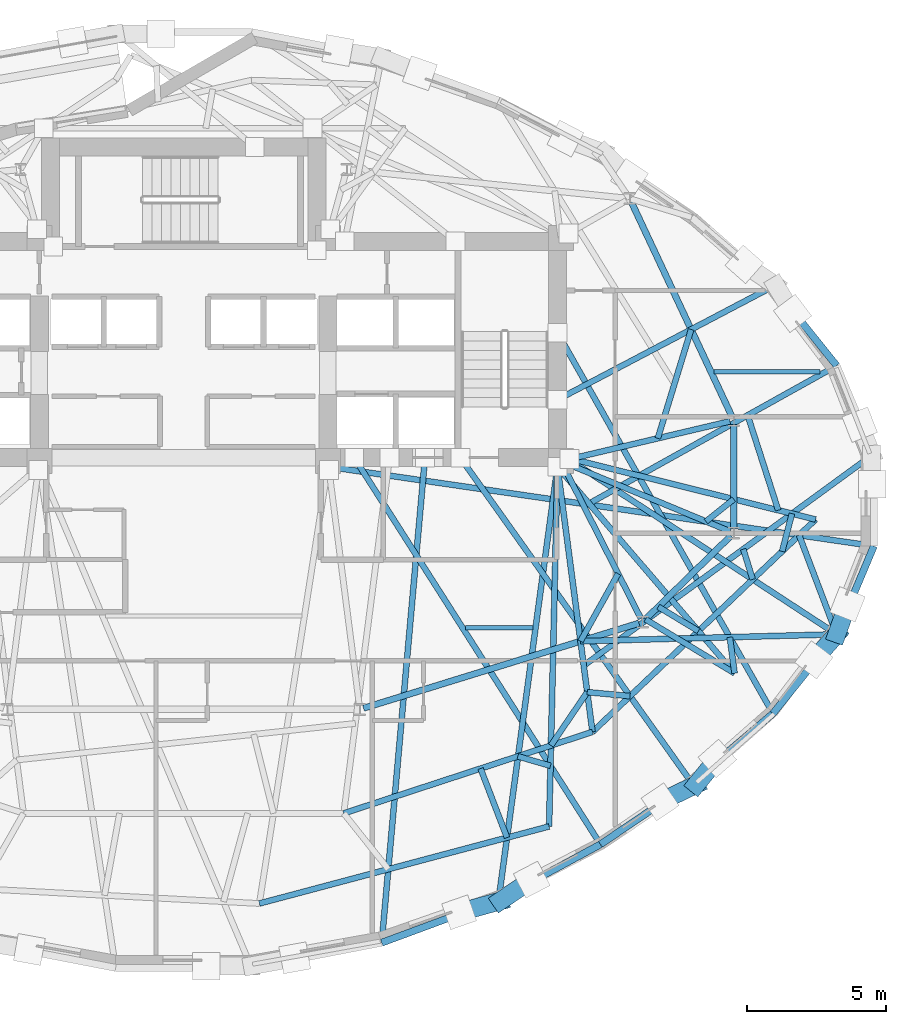
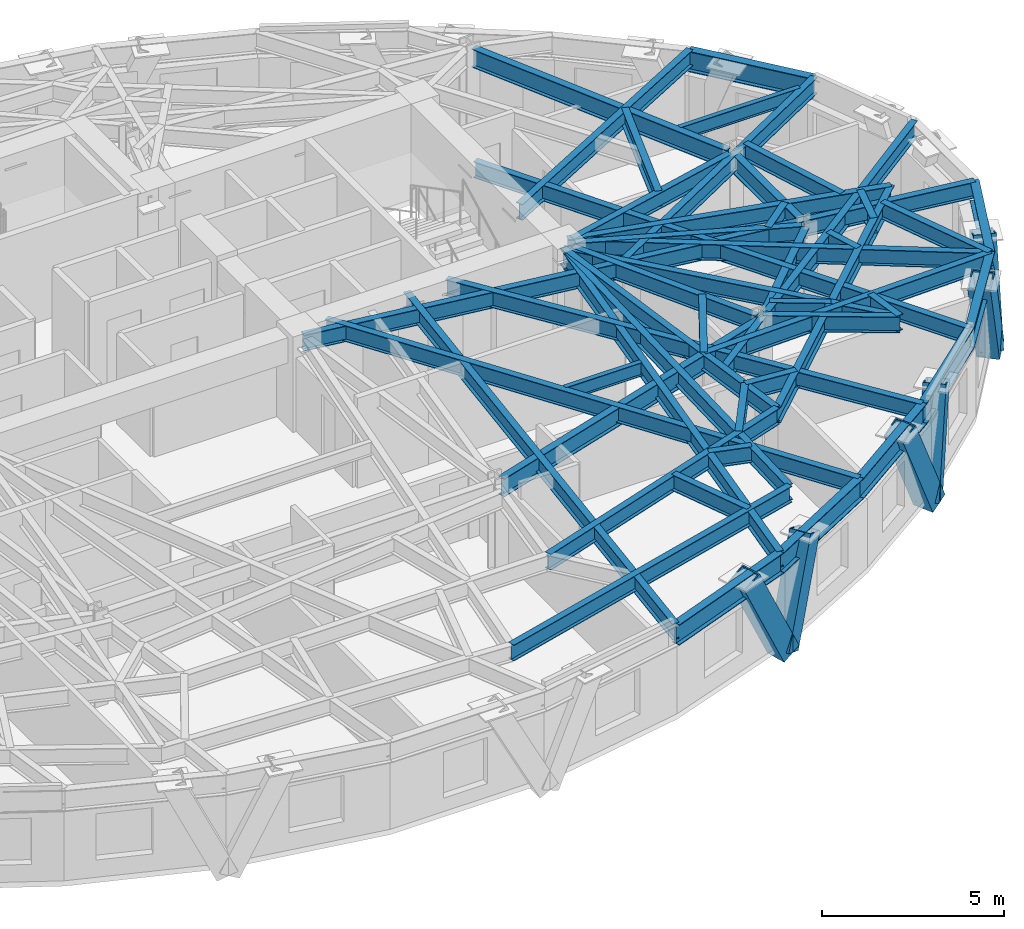
# One storey, part 4 of 14: 48 beams, 6 members.
"""IFC4 building model written with IfcOpenShell, lengths in metres."""

from ifc_helpers import new_model, si_unit, direction, frame, origin, origin_2d, place, context, subcontext, project, spatial, hollow_rectangle, i_section, extrude, material, material_profile, profile_set, type_object, element, save


model = new_model("IFC4")

# Units and contexts
model_context = context("Model", 3, precision=1e-05, world=origin(), true_north=direction((0.0, 1.0)))
body_context = subcontext(model_context, "Body", "Model", "MODEL_VIEW")
ifc_project = project(units=[si_unit("LENGTHUNIT", "METRE"), si_unit("AREAUNIT", "SQUARE_METRE"), si_unit("VOLUMEUNIT", "CUBIC_METRE"), si_unit("PLANEANGLEUNIT", "RADIAN"), si_unit("MASSUNIT", "GRAM", prefix="KILO")], contexts=[model_context])

# Site, building, storey
site_placement = place(None, origin())
site = spatial("IfcSite", under=ifc_project, at=site_placement, CompositionType="ELEMENT")
building_placement = place(site_placement, origin())
building = spatial("IfcBuilding", under=site, at=building_placement, Name="Keldmark Tower", CompositionType="ELEMENT")
storey_placement = place(building_placement, frame((0.0, 0.0, 175.800048828125)))
storey = spatial("IfcBuildingStorey", under=building, at=storey_placement, Name="L48", CompositionType="ELEMENT", Elevation=175.800048828125)

# Beams
ifc_material_1 = material(Name="Steel ASTM A992 Grade 50", Category="steel")
ifc_material_profile_1 = material_profile(ifc_material_1, i_section(OverallWidth=0.153076171875, OverallDepth=0.455078125, WebThickness=0.008056640625, FlangeThickness=0.01318359375, at=origin_2d()), Name="W18X40")
ifc_profile_set_1 = profile_set([ifc_material_profile_1], Name="Steel ASTM A992 Grade 50")
beam_type_1 = type_object("IfcBeamType", Name="Composite Floor Joist W18X40", PredefinedType="JOIST", material=ifc_profile_set_1)
beam_1_placement = place(storey_placement, frame((10.165283203125, -4.60009765625, 2.79248046875), z_axis=(1.0, 0.0, 0.0), x_axis=(0.0, 1.0, 0.0)))
element("IfcBeam", 1, at=beam_1_placement, inside=storey, type_object=beam_type_1, Name="L48 Composite Floor Joist J03", PredefinedType="JOIST", context=body_context, shape_type="SweptSolid", body=[
    extrude(i_section(OverallWidth=0.153076171875, OverallDepth=0.455078125, WebThickness=0.008056640625, FlangeThickness=0.01318359375, at=origin_2d()), origin(), (0.0, 0.0, 1.0), 2.424072265625),
])
beam_2_placement = place(storey_placement, frame((19.12451171875, 4.6201171875, 2.79248046875), z_axis=(1.0, 0.0, 0.0), x_axis=(0.0, 1.0, 0.0)))
element("IfcBeam", 2, at=beam_2_placement, inside=storey, type_object=beam_type_1, Name="L48 Composite Floor Joist J05", PredefinedType="JOIST", context=body_context, shape_type="SweptSolid", body=[
    extrude(i_section(OverallWidth=0.153076171875, OverallDepth=0.455078125, WebThickness=0.008056640625, FlangeThickness=0.01318359375, at=origin_2d()), origin(), (0.0, 0.0, 1.0), 3.815185546875),
])

# Members
ifc_material_2 = material(Name="Steel ASTM A572 Grade 50", Category="steel")
ifc_material_profile_2 = material_profile(ifc_material_2, hollow_rectangle(XDim=0.64990234375, YDim=0.64990234375, WallThickness=0.0400390625, at=origin_2d()), Name="BOX650X650X40")
ifc_profile_set_2 = profile_set([ifc_material_profile_2], Name="Steel ASTM A572 Grade 50")
member_type = type_object("IfcMemberType", Name="Diagrid Zone 3 Brace BOX650X650X40", PredefinedType="BRACE", material=ifc_profile_set_2)
member_1_placement = place(storey_placement, frame((11.42138671875, -14.449951171875, -0.260009765625), z_axis=(-0.42345325243, -0.11695111135, 0.898337230978), x_axis=(0.266217562784, -0.963912967682, 0.0)))
element("IfcMember", 3, at=member_1_placement, inside=storey, type_object=member_type, Name="L48 Perimeter Diagrid Brace 13B", PredefinedType="BRACE", context=body_context, shape_type="SweptSolid", body=[
    extrude(hollow_rectangle(XDim=0.64990234375, YDim=0.64990234375, WallThickness=0.0400390625, at=origin_2d()), origin(), (0.0, 0.0, 1.0), 3.517578125),
])
member_2_placement = place(storey_placement, frame((11.410400390625, -14.454345703125, -0.260009765625), z_axis=(0.33049592373, 0.223518679393, 0.916957929439), x_axis=(-0.560219791225, 0.828344001922, 0.0)))
element("IfcMember", 4, at=member_2_placement, inside=storey, type_object=member_type, Name="L48 Perimeter Diagrid Brace 14A", PredefinedType="BRACE", context=body_context, shape_type="SweptSolid", body=[
    extrude(hollow_rectangle(XDim=0.64990234375, YDim=0.64990234375, WallThickness=0.0400390625, at=origin_2d()), origin(), (0.0, 0.0, 1.0), 3.446044921875),
])
member_3_placement = place(storey_placement, frame((18.478271484375, -10.2548828125, -0.260009765625), z_axis=(-0.374907945302, -0.180217181353, 0.909376599707), x_axis=(0.433241667127, -0.90127779173, 0.0)))
element("IfcMember", 5, at=member_3_placement, inside=storey, type_object=member_type, Name="L48 Perimeter Diagrid Brace 14B", PredefinedType="BRACE", context=body_context, shape_type="SweptSolid", body=[
    extrude(hollow_rectangle(XDim=0.64990234375, YDim=0.64990234375, WallThickness=0.0400390625, at=origin_2d()), origin(), (0.0, 0.0, 1.0), 3.474853515625),
])
member_4_placement = place(storey_placement, frame((18.469970703125, -10.26318359375, -0.260009765625), z_axis=(0.227142280922, 0.279116125588, 0.933006201831), x_axis=(-0.775623580576, 0.631195739255, 0.0)))
element("IfcMember", 6, at=member_4_placement, inside=storey, type_object=member_type, Name="L48 Perimeter Diagrid Brace 15A", PredefinedType="BRACE", context=body_context, shape_type="SweptSolid", body=[
    extrude(hollow_rectangle(XDim=0.64990234375, YDim=0.64990234375, WallThickness=0.0400390625, at=origin_2d()), origin(), (0.0, 0.0, 1.0), 3.38671875),
])
member_5_placement = place(storey_placement, frame((23.548828125, -4.8251953125, -0.260009765625), z_axis=(-0.243983108879, -0.276231685826, 0.929606528768), x_axis=(0.749502219327, -0.662001830227, 0.0)))
element("IfcMember", 7, at=member_5_placement, inside=storey, type_object=member_type, Name="L48 Perimeter Diagrid Brace 15B", PredefinedType="BRACE", context=body_context, shape_type="SweptSolid", body=[
    extrude(hollow_rectangle(XDim=0.64990234375, YDim=0.64990234375, WallThickness=0.0400390625, at=origin_2d()), origin(), (0.0, 0.0, 1.0), 3.399169921875),
])
member_6_placement = place(storey_placement, frame((23.54443359375, -4.836181640625, -0.260009765625), z_axis=(0.113966039692, 0.319439250284, 0.94072860442), x_axis=(-0.941853373984, 0.336024138887, 0.0)))
element("IfcMember", 8, at=member_6_placement, inside=storey, type_object=member_type, Name="L48 Perimeter Diagrid Brace 16A", PredefinedType="BRACE", context=body_context, shape_type="SweptSolid", body=[
    extrude(hollow_rectangle(XDim=0.64990234375, YDim=0.64990234375, WallThickness=0.0400390625, at=origin_2d()), origin(), (0.0, 0.0, 1.0), 3.35888671875),
])

# Beams
ifc_material_3 = material(Name="Steel ASTM A992 Grade 50", Category="steel")
ifc_material_profile_3 = material_profile(ifc_material_3, i_section(OverallWidth=0.22900390625, OverallDepth=0.612060546875, WebThickness=0.011962890625, FlangeThickness=0.01953125, at=origin_2d()), Name="W24X84")
ifc_profile_set_3 = profile_set([ifc_material_profile_3], Name="Steel ASTM A992 Grade 50")
beam_type_2 = type_object("IfcBeamType", Name="Primary Floor Girder W24X84", PredefinedType="BEAM", material=ifc_profile_set_3)
beam_3_placement = place(storey_placement, frame((19.76904296875, 2.99609375, 2.7138671875), z_axis=(-0.424526823774, 0.905415360979, 0.0), x_axis=(-0.905415360979, -0.424526823774, 0.0)))
element("IfcBeam", 9, at=beam_3_placement, inside=storey, type_object=beam_type_2, Name="L48 Floor Ring Girder FG-R01", PredefinedType="BEAM", context=body_context, shape_type="SweptSolid", body=[
    extrude(i_section(OverallWidth=0.22900390625, OverallDepth=0.612060546875, WebThickness=0.011962890625, FlangeThickness=0.01953125, at=origin_2d()), origin(), (0.0, 0.0, 1.0), 8.54638671875),
])
beam_4_placement = place(storey_placement, frame((6.485107421875, -7.5048828125, 2.7138671875), z_axis=(0.955494563145, 0.295008711398, 0.0), x_axis=(-0.295008711398, 0.955494563145, 0.0)))
element("IfcBeam", 10, at=beam_4_placement, inside=storey, type_object=beam_type_2, Name="L48 Floor Ring Girder FG-R10", PredefinedType="BEAM", context=body_context, shape_type="SweptSolid", body=[
    extrude(i_section(OverallWidth=0.22900390625, OverallDepth=0.612060546875, WebThickness=0.011962890625, FlangeThickness=0.01953125, at=origin_2d()), origin(), (0.0, 0.0, 1.0), 10.39013671875),
])
beam_5_placement = place(storey_placement, frame((16.646728515625, -4.300537109375, 2.7138671875), z_axis=(0.714964509815, 0.699160746684, 0.0), x_axis=(-0.699160746684, 0.714964509815, 0.0)))
element("IfcBeam", 11, at=beam_5_placement, inside=storey, type_object=beam_type_2, Name="L48 Floor Ring Girder FG-R11", PredefinedType="BEAM", context=body_context, shape_type="SweptSolid", body=[
    extrude(i_section(OverallWidth=0.22900390625, OverallDepth=0.612060546875, WebThickness=0.011962890625, FlangeThickness=0.01953125, at=origin_2d()), origin(), (0.0, 0.0, 1.0), 4.31005859375),
])
beam_6_placement = place(storey_placement, frame((19.828369140625, -1.04931640625, 2.7138671875), z_axis=(0.0, 1.0, 0.0), x_axis=(-1.0, 0.0, 0.0)))
element("IfcBeam", 12, at=beam_6_placement, inside=storey, type_object=beam_type_2, Name="L48 Floor Ring Girder FG-R12", PredefinedType="BEAM", context=body_context, shape_type="SweptSolid", body=[
    extrude(i_section(OverallWidth=0.22900390625, OverallDepth=0.612060546875, WebThickness=0.011962890625, FlangeThickness=0.01953125, at=origin_2d()), origin(), (0.0, 0.0, 1.0), 3.778564453125),
])
ifc_material_4 = material(Name="Steel ASTM A992 Grade 50", Category="steel")
ifc_material_profile_4 = material_profile(ifc_material_4, i_section(OverallWidth=0.2099609375, OverallDepth=0.537109375, WebThickness=0.010986328125, FlangeThickness=0.017333984375, at=origin_2d()), Name="W21X68")
ifc_profile_set_4 = profile_set([ifc_material_profile_4], Name="Steel ASTM A992 Grade 50")
beam_type_3 = type_object("IfcBeamType", Name="Radial Tie Girder W21X68", PredefinedType="BEAM", material=ifc_profile_set_4)
beam_7_placement = place(storey_placement, frame((19.692138671875, 2.837158203125, 2.75146484375), z_axis=(-0.973280062348, -0.229621253887, 0.0), x_axis=(0.229621253887, -0.973280062348, 0.0)))
element("IfcBeam", 13, at=beam_7_placement, inside=storey, type_object=beam_type_3, Name="L48 Floor Radial Girder FG-C01", PredefinedType="BEAM", context=body_context, shape_type="SweptSolid", body=[
    extrude(i_section(OverallWidth=0.2099609375, OverallDepth=0.537109375, WebThickness=0.010986328125, FlangeThickness=0.017333984375, at=origin_2d()), origin(), (0.0, 0.0, 1.0), 5.939208984375),
])
beam_8_placement = place(storey_placement, frame((16.4833984375, -4.273681640625, 2.75146484375), z_axis=(-0.453036691775, 0.891491870914, 0.0), x_axis=(-0.891491870914, -0.453036691775, 0.0)))
element("IfcBeam", 14, at=beam_8_placement, inside=storey, type_object=beam_type_3, Name="L48 Floor Radial Girder FG-C11", PredefinedType="BEAM", context=body_context, shape_type="SweptSolid", body=[
    extrude(i_section(OverallWidth=0.2099609375, OverallDepth=0.537109375, WebThickness=0.010986328125, FlangeThickness=0.017333984375, at=origin_2d()), origin(), (0.0, 0.0, 1.0), 6.044189453125),
])
beam_9_placement = place(storey_placement, frame((19.69921875, -1.135498046875, 2.75146484375), z_axis=(-0.923393794893, 0.383854008124, 0.0), x_axis=(-0.383854008124, -0.923393794893, 0.0)))
element("IfcBeam", 15, at=beam_9_placement, inside=storey, type_object=beam_type_3, Name="L48 Floor Radial Girder FG-C12", PredefinedType="BEAM", context=body_context, shape_type="SweptSolid", body=[
    extrude(i_section(OverallWidth=0.2099609375, OverallDepth=0.537109375, WebThickness=0.010986328125, FlangeThickness=0.017333984375, at=origin_2d()), origin(), (0.0, 0.0, 1.0), 6.28515625),
])
beam_10_placement = place(storey_placement, frame((15.661865234375, -2.6572265625, 2.75146484375), z_axis=(-0.486899907892, -0.87345777213, 0.0), x_axis=(0.87345777213, -0.486899907892, 0.0)))
element("IfcBeam", 16, at=beam_10_placement, inside=storey, type_object=beam_type_3, Name="L48 Framing Pin Header PH-007", PredefinedType="BEAM", context=body_context, shape_type="SweptSolid", body=[
    extrude(i_section(OverallWidth=0.2099609375, OverallDepth=0.537109375, WebThickness=0.010986328125, FlangeThickness=0.017333984375, at=origin_2d()), origin(), (0.0, 0.0, 1.0), 2.785888671875),
])
beam_11_placement = place(storey_placement, frame((13.47509765625, 1.199951171875, 2.75146484375), z_axis=(0.130863236216, -0.991400430405, 0.0), x_axis=(0.991400430405, 0.130863236216, 0.0)))
element("IfcBeam", 17, at=beam_11_placement, inside=storey, type_object=beam_type_3, Name="L48 Sub-Ring Step Girder STP1-M11", PredefinedType="BEAM", context=body_context, shape_type="SweptSolid", body=[
    extrude(i_section(OverallWidth=0.2099609375, OverallDepth=0.537109375, WebThickness=0.010986328125, FlangeThickness=0.017333984375, at=origin_2d()), origin(), (0.0, 0.0, 1.0), 9.6416015625),
])
beam_12_placement = place(storey_placement, frame((18.82861328125, -0.773681640625, 2.75146484375), z_axis=(0.779845899285, 0.625971543577, 0.0), x_axis=(-0.625971543577, 0.779845899285, 0.0)))
element("IfcBeam", 18, at=beam_12_placement, inside=storey, type_object=beam_type_3, Name="L48 Framing Pin Header PH-008", PredefinedType="BEAM", context=body_context, shape_type="SweptSolid", body=[
    extrude(i_section(OverallWidth=0.2099609375, OverallDepth=0.537109375, WebThickness=0.010986328125, FlangeThickness=0.017333984375, at=origin_2d()), origin(), (0.0, 0.0, 1.0), 1.281982421875),
])
beam_13_placement = place(storey_placement, frame((13.800048828125, 1.52490234375, 2.75146484375), z_axis=(0.970554057255, -0.240883419823, 0.0), x_axis=(0.240883419823, 0.970554057255, 0.0)))
element("IfcBeam", 19, at=beam_13_placement, inside=storey, type_object=beam_type_3, Name="L48 Sub-Ring Step Girder STP1-M12", PredefinedType="BEAM", context=body_context, shape_type="SweptSolid", body=[
    extrude(i_section(OverallWidth=0.2099609375, OverallDepth=0.537109375, WebThickness=0.010986328125, FlangeThickness=0.017333984375, at=origin_2d()), origin(), (0.0, 0.0, 1.0), 9.25048828125),
])
beam_14_placement = place(storey_placement, frame((5.771484375, -11.2939453125, 2.75146484375), z_axis=(0.950359704964, 0.311153388508, 0.0), x_axis=(-0.311153388508, 0.950359704964, 0.0)))
element("IfcBeam", 20, at=beam_14_placement, inside=storey, type_object=beam_type_3, Name="L48 Perimeter Collector Ring Beam CRG1-M10", PredefinedType="BEAM", context=body_context, shape_type="SweptSolid", body=[
    extrude(i_section(OverallWidth=0.2099609375, OverallDepth=0.537109375, WebThickness=0.010986328125, FlangeThickness=0.017333984375, at=origin_2d()), origin(), (0.0, 0.0, 1.0), 9.43359375),
])
beam_15_placement = place(storey_placement, frame((14.73681640625, -8.358642578125, 2.75146484375), z_axis=(0.724275973377, 0.689510198901, 0.0), x_axis=(-0.689510198901, 0.724275973377, 0.0)))
element("IfcBeam", 21, at=beam_15_placement, inside=storey, type_object=beam_type_3, Name="L48 Perimeter Collector Ring Beam CRG1-M11", PredefinedType="BEAM", context=body_context, shape_type="SweptSolid", body=[
    extrude(i_section(OverallWidth=0.2099609375, OverallDepth=0.537109375, WebThickness=0.010986328125, FlangeThickness=0.017333984375, at=origin_2d()), origin(), (0.0, 0.0, 1.0), 11.1025390625),
])
beam_16_placement = place(storey_placement, frame((14.54736328125, -6.9248046875, 2.75146484375), z_axis=(-0.562065968421, -0.827092405444, 0.0), x_axis=(0.827092405444, -0.562065968421, 0.0)))
element("IfcBeam", 22, at=beam_16_placement, inside=storey, type_object=beam_type_3, Name="L48 Framing Pin Header PH-013", PredefinedType="BEAM", context=body_context, shape_type="SweptSolid", body=[
    extrude(i_section(OverallWidth=0.2099609375, OverallDepth=0.537109375, WebThickness=0.010986328125, FlangeThickness=0.017333984375, at=origin_2d()), origin(), (0.0, 0.0, 1.0), 2.325927734375),
])
beam_17_placement = place(storey_placement, frame((13.47509765625, 1.199951171875, 2.75146484375), z_axis=(-0.023379914558, -0.999726652438, 0.0), x_axis=(0.999726652438, -0.023379914558, 0.0)))
element("IfcBeam", 23, at=beam_17_placement, inside=storey, type_object=beam_type_3, Name="L48 Sub-Ring Step Girder STP2-M11", PredefinedType="BEAM", context=body_context, shape_type="SweptSolid", body=[
    extrude(i_section(OverallWidth=0.2099609375, OverallDepth=0.537109375, WebThickness=0.010986328125, FlangeThickness=0.017333984375, at=origin_2d()), origin(), (0.0, 0.0, 1.0), 12.969482421875),
])
beam_18_placement = place(storey_placement, frame((2.729736328125, -14.5439453125, 2.75146484375), z_axis=(0.966384405878, 0.257101497615, 0.0), x_axis=(-0.257101497615, 0.966384405878, 0.0)))
element("IfcBeam", 24, at=beam_18_placement, inside=storey, type_object=beam_type_3, Name="L48 Perimeter Collector Ring Beam CRG2-M10", PredefinedType="BEAM", context=body_context, shape_type="SweptSolid", body=[
    extrude(i_section(OverallWidth=0.2099609375, OverallDepth=0.537109375, WebThickness=0.010986328125, FlangeThickness=0.017333984375, at=origin_2d()), origin(), (0.0, 0.0, 1.0), 10.805419921875),
])
beam_19_placement = place(storey_placement, frame((21.57177734375, -1.8515625, 2.75146484375), z_axis=(0.252825066746, 0.967512008, 0.0), x_axis=(-0.967512008, 0.252825066746, 0.0)))
element("IfcBeam", 25, at=beam_19_placement, inside=storey, type_object=beam_type_3, Name="L48 Framing Pin Header PH-014", PredefinedType="BEAM", context=body_context, shape_type="SweptSolid", body=[
    extrude(i_section(OverallWidth=0.2099609375, OverallDepth=0.537109375, WebThickness=0.010986328125, FlangeThickness=0.017333984375, at=origin_2d()), origin(), (0.0, 0.0, 1.0), 1.405029296875),
])
beam_20_placement = place(storey_placement, frame((14.42138671875, -5.968994140625, 2.75146484375), z_axis=(0.807802841249, 0.589452771365, 0.0), x_axis=(-0.589452771365, 0.807802841249, 0.0)))
element("IfcBeam", 26, at=beam_20_placement, inside=storey, type_object=beam_type_3, Name="L48 Perimeter Radial Tie Girder RT-01", PredefinedType="BEAM", context=body_context, shape_type="SweptSolid", body=[
    extrude(i_section(OverallWidth=0.2099609375, OverallDepth=0.537109375, WebThickness=0.010986328125, FlangeThickness=0.017333984375, at=origin_2d()), origin(), (0.0, 0.0, 1.0), 12.9443359375),
])
beam_21_placement = place(storey_placement, frame((21.431396484375, -0.369140625, 2.75146484375), z_axis=(-0.306576203498, 0.951846117526, 0.0), x_axis=(-0.951846117526, -0.306576203498, 0.0)))
element("IfcBeam", 27, at=beam_21_placement, inside=storey, type_object=beam_type_3, Name="L48 Framing Pin Header PH-015", PredefinedType="BEAM", context=body_context, shape_type="SweptSolid", body=[
    extrude(i_section(OverallWidth=0.2099609375, OverallDepth=0.537109375, WebThickness=0.010986328125, FlangeThickness=0.017333984375, at=origin_2d()), origin(), (0.0, 0.0, 1.0), 3.595458984375),
])
beam_22_placement = place(storey_placement, frame((14.4296875, -0.232421875, 2.75146484375), z_axis=(0.873646476689, 0.486561233319, 0.0), x_axis=(-0.486561233319, 0.873646476689, 0.0)))
element("IfcBeam", 28, at=beam_22_placement, inside=storey, type_object=beam_type_3, Name="L48 Perimeter Radial Tie Girder RT-02", PredefinedType="BEAM", context=body_context, shape_type="SweptSolid", body=[
    extrude(i_section(OverallWidth=0.2099609375, OverallDepth=0.537109375, WebThickness=0.010986328125, FlangeThickness=0.017333984375, at=origin_2d()), origin(), (0.0, 0.0, 1.0), 10.42578125),
])
beam_23_placement = place(storey_placement, frame((17.0908203125, 2.223388671875, 2.75146484375), z_axis=(0.292764236798, 0.956184658762, 0.0), x_axis=(-0.956184658762, 0.292764236798, 0.0)))
element("IfcBeam", 29, at=beam_23_placement, inside=storey, type_object=beam_type_3, Name="L48 Framing Pin Header PH-016", PredefinedType="BEAM", context=body_context, shape_type="SweptSolid", body=[
    extrude(i_section(OverallWidth=0.2099609375, OverallDepth=0.537109375, WebThickness=0.010986328125, FlangeThickness=0.017333984375, at=origin_2d()), origin(), (0.0, 0.0, 1.0), 4.102783203125),
])
beam_24_placement = place(storey_placement, frame((13.47509765625, 3.6142578125, 2.75146484375), z_axis=(0.885148690415, 0.46530828045, 0.0), x_axis=(-0.46530828045, 0.885148690415, 0.0)))
element("IfcBeam", 30, at=beam_24_placement, inside=storey, type_object=beam_type_3, Name="L48 Perimeter Radial Tie Girder RT-03", PredefinedType="BEAM", context=body_context, shape_type="SweptSolid", body=[
    extrude(i_section(OverallWidth=0.2099609375, OverallDepth=0.537109375, WebThickness=0.010986328125, FlangeThickness=0.017333984375, at=origin_2d()), origin(), (0.0, 0.0, 1.0), 8.773681640625),
])
beam_25_placement = place(storey_placement, frame((8.699951171875, 1.52490234375, 2.75146484375), z_axis=(-0.088872547544, -0.996043006247, 0.0), x_axis=(0.996043006247, -0.088872547544, 0.0)))
element("IfcBeam", 31, at=beam_25_placement, inside=storey, type_object=beam_type_3, Name="L48 Perimeter Radial Tie Girder RT-26", PredefinedType="BEAM", context=body_context, shape_type="SweptSolid", body=[
    extrude(i_section(OverallWidth=0.2099609375, OverallDepth=0.537109375, WebThickness=0.010986328125, FlangeThickness=0.017333984375, at=origin_2d()), origin(), (0.0, 0.0, 1.0), 17.551025390625),
])
beam_26_placement = place(storey_placement, frame((10.702392578125, -9.679443359375, 2.75146484375), z_axis=(0.358027821063, -0.93371091851, 0.0), x_axis=(0.93371091851, 0.358027821063, 0.0)))
element("IfcBeam", 32, at=beam_26_placement, inside=storey, type_object=beam_type_3, Name="L48 Framing Pin Header PH-037", PredefinedType="BEAM", context=body_context, shape_type="SweptSolid", body=[
    extrude(i_section(OverallWidth=0.2099609375, OverallDepth=0.537109375, WebThickness=0.010986328125, FlangeThickness=0.017333984375, at=origin_2d()), origin(), (0.0, 0.0, 1.0), 2.666259765625),
])
beam_27_placement = place(storey_placement, frame((13.47509765625, 1.199951171875, 2.75146484375), z_axis=(-0.134746421028, -0.990880114858, 0.0), x_axis=(0.990880114858, -0.134746421028, 0.0)))
element("IfcBeam", 33, at=beam_27_placement, inside=storey, type_object=beam_type_3, Name="L48 Perimeter Radial Tie Girder RT-27", PredefinedType="BEAM", context=body_context, shape_type="SweptSolid", body=[
    extrude(i_section(OverallWidth=0.2099609375, OverallDepth=0.537109375, WebThickness=0.010986328125, FlangeThickness=0.017333984375, at=origin_2d()), origin(), (0.0, 0.0, 1.0), 15.7431640625),
])
beam_28_placement = place(storey_placement, frame((12.047119140625, -9.2392578125, 2.75146484375), z_axis=(0.96014277994, -0.279510003629, 0.0), x_axis=(0.279510003629, 0.96014277994, 0.0)))
element("IfcBeam", 34, at=beam_28_placement, inside=storey, type_object=beam_type_3, Name="L48 Framing Pin Header PH-038", PredefinedType="BEAM", context=body_context, shape_type="SweptSolid", body=[
    extrude(i_section(OverallWidth=0.2099609375, OverallDepth=0.537109375, WebThickness=0.010986328125, FlangeThickness=0.017333984375, at=origin_2d()), origin(), (0.0, 0.0, 1.0), 1.224609375),
])
beam_29_placement = place(storey_placement, frame((6.14990234375, 1.52490234375, 2.75146484375), z_axis=(0.537160389948, -0.843480121562, 0.0), x_axis=(0.843480121562, 0.537160389948, 0.0)))
element("IfcBeam", 35, at=beam_29_placement, inside=storey, type_object=beam_type_3, Name="L48 Perimeter Radial Tie Girder RT-28", PredefinedType="BEAM", context=body_context, shape_type="SweptSolid", body=[
    extrude(i_section(OverallWidth=0.2099609375, OverallDepth=0.537109375, WebThickness=0.010986328125, FlangeThickness=0.017333984375, at=origin_2d()), origin(), (0.0, 0.0, 1.0), 16.52197265625),
])
beam_30_placement = place(storey_placement, frame((14.54736328125, -6.9248046875, 2.75146484375), z_axis=(0.9956296512, -0.093389494331, 0.0), x_axis=(0.093389494331, 0.9956296512, 0.0)))
element("IfcBeam", 36, at=beam_30_placement, inside=storey, type_object=beam_type_3, Name="L48 Framing Pin Header PH-039", PredefinedType="BEAM", context=body_context, shape_type="SweptSolid", body=[
    extrude(i_section(OverallWidth=0.2099609375, OverallDepth=0.537109375, WebThickness=0.010986328125, FlangeThickness=0.017333984375, at=origin_2d()), origin(), (0.0, 0.0, 1.0), 1.55029296875),
])
beam_31_placement = place(storey_placement, frame((9.97509765625, 1.52490234375, 2.75146484375), z_axis=(0.579781478973, -0.81477201513, 0.0), x_axis=(0.81477201513, 0.579781478973, 0.0)))
element("IfcBeam", 37, at=beam_31_placement, inside=storey, type_object=beam_type_3, Name="L48 Perimeter Radial Tie Girder RT-29", PredefinedType="BEAM", context=body_context, shape_type="SweptSolid", body=[
    extrude(i_section(OverallWidth=0.2099609375, OverallDepth=0.537109375, WebThickness=0.010986328125, FlangeThickness=0.017333984375, at=origin_2d()), origin(), (0.0, 0.0, 1.0), 14.37255859375),
])
beam_32_placement = place(storey_placement, frame((17.10888671875, -3.8486328125, 2.75146484375), z_axis=(0.855459661362, -0.517869450521, 0.0), x_axis=(0.517869450521, 0.855459661362, 0.0)))
element("IfcBeam", 38, at=beam_32_placement, inside=storey, type_object=beam_type_3, Name="L48 Framing Pin Header PH-040", PredefinedType="BEAM", context=body_context, shape_type="SweptSolid", body=[
    extrude(i_section(OverallWidth=0.2099609375, OverallDepth=0.537109375, WebThickness=0.010986328125, FlangeThickness=0.017333984375, at=origin_2d()), origin(), (0.0, 0.0, 1.0), 1.690185546875),
])
beam_33_placement = place(storey_placement, frame((13.47509765625, 1.199951171875, 2.75146484375), z_axis=(0.650963534438, -0.759109001944, 0.0), x_axis=(0.759109001944, 0.650963534438, 0.0)))
element("IfcBeam", 39, at=beam_33_placement, inside=storey, type_object=beam_type_3, Name="L48 Intermediate Radial Step Girder RT-30M", PredefinedType="BEAM", context=body_context, shape_type="SweptSolid", body=[
    extrude(i_section(OverallWidth=0.2099609375, OverallDepth=0.537109375, WebThickness=0.010986328125, FlangeThickness=0.017333984375, at=origin_2d()), origin(), (0.0, 0.0, 1.0), 9.808837890625),
])
beam_34_placement = place(storey_placement, frame((16.646728515625, -4.300537109375, 2.75146484375), z_axis=(0.855444769609, -0.517894049154, 0.0), x_axis=(0.517894049154, 0.855444769609, 0.0)))
element("IfcBeam", 40, at=beam_34_placement, inside=storey, type_object=beam_type_3, Name="L48 Local Collector Chord RT-30C", PredefinedType="BEAM", context=body_context, shape_type="SweptSolid", body=[
    extrude(i_section(OverallWidth=0.2099609375, OverallDepth=0.537109375, WebThickness=0.010986328125, FlangeThickness=0.017333984375, at=origin_2d()), origin(), (0.0, 0.0, 1.0), 3.756591796875),
])
beam_35_placement = place(storey_placement, frame((20.172607421875, -1.7724609375, 2.75146484375), z_axis=(0.296702196114, -0.954970055458, 0.0), x_axis=(0.954970055458, 0.296702196114, 0.0)))
element("IfcBeam", 41, at=beam_35_placement, inside=storey, type_object=beam_type_3, Name="L48 Framing Pin Header PH-041", PredefinedType="BEAM", context=body_context, shape_type="SweptSolid", body=[
    extrude(i_section(OverallWidth=0.2099609375, OverallDepth=0.537109375, WebThickness=0.010986328125, FlangeThickness=0.017333984375, at=origin_2d()), origin(), (0.0, 0.0, 1.0), 1.140380859375),
])
beam_36_placement = place(storey_placement, frame((13.800048828125, 1.52490234375, 2.75146484375), z_axis=(0.83704613196, -0.547132317608, 0.0), x_axis=(0.547132317608, 0.83704613196, 0.0)))
element("IfcBeam", 42, at=beam_36_placement, inside=storey, type_object=beam_type_3, Name="L48 Perimeter Radial Tie Girder RT-31", PredefinedType="BEAM", context=body_context, shape_type="SweptSolid", body=[
    extrude(i_section(OverallWidth=0.2099609375, OverallDepth=0.537109375, WebThickness=0.010986328125, FlangeThickness=0.017333984375, at=origin_2d()), origin(), (0.0, 0.0, 1.0), 11.6337890625),
])
beam_37_placement = place(storey_placement, frame((23.5380859375, -4.84033203125, 2.75146484375), z_axis=(-0.354700480437, 0.934979983303, 0.0), x_axis=(-0.934979983303, -0.354700480437, 0.0)))
element("IfcBeam", 43, at=beam_37_placement, inside=storey, type_object=beam_type_3, Name="L48 Framing Pin Header PH-042", PredefinedType="BEAM", context=body_context, shape_type="SweptSolid", body=[
    extrude(i_section(OverallWidth=0.2099609375, OverallDepth=0.537109375, WebThickness=0.010986328125, FlangeThickness=0.017333984375, at=origin_2d()), origin(), (0.0, 0.0, 1.0), 3.8193359375),
])
beam_38_placement = place(storey_placement, frame((5.199951171875, 1.199951171875, 2.75146484375), z_axis=(0.989594800281, -0.143882352136, 0.0), x_axis=(0.143882352136, 0.989594800281, 0.0)))
element("IfcBeam", 44, at=beam_38_placement, inside=storey, type_object=beam_type_3, Name="L48 Perimeter Radial Tie Girder RT-32", PredefinedType="BEAM", context=body_context, shape_type="SweptSolid", body=[
    extrude(i_section(OverallWidth=0.2099609375, OverallDepth=0.537109375, WebThickness=0.010986328125, FlangeThickness=0.017333984375, at=origin_2d()), origin(), (0.0, 0.0, 1.0), 19.884765625),
])
beam_39_placement = place(storey_placement, frame((14.305419921875, -5.090576171875, 2.75146484375), z_axis=(0.999632883097, 0.027094261977, 0.0), x_axis=(-0.027094261977, 0.999632883097, 0.0)))
element("IfcBeam", 45, at=beam_39_placement, inside=storey, type_object=beam_type_3, Name="L48 Straddling Support Chord RT-30RB", PredefinedType="BEAM", context=body_context, shape_type="SweptSolid", body=[
    extrude(i_section(OverallWidth=0.2099609375, OverallDepth=0.537109375, WebThickness=0.010986328125, FlangeThickness=0.017333984375, at=origin_2d()), origin(), (0.0, 0.0, 1.0), 9.236083984375),
])
beam_40_placement = place(storey_placement, frame((19.8603515625, -6.24609375, 2.75146484375), z_axis=(-0.134233711889, 0.990949701343, 0.0), x_axis=(-0.990949701343, -0.134233711889, 0.0)))
element("IfcBeam", 46, at=beam_40_placement, inside=storey, type_object=beam_type_3, Name="L48 Framing Pin Header PH-045", PredefinedType="BEAM", context=body_context, shape_type="SweptSolid", body=[
    extrude(i_section(OverallWidth=0.2099609375, OverallDepth=0.537109375, WebThickness=0.010986328125, FlangeThickness=0.017333984375, at=origin_2d()), origin(), (0.0, 0.0, 1.0), 1.313232421875),
])
beam_41_placement = place(storey_placement, frame((13.47509765625, 6.028564453125, 2.75146484375), z_axis=(0.492456632868, -0.87033698344, 0.0), x_axis=(0.87033698344, 0.492456632868, 0.0)))
element("IfcBeam", 47, at=beam_41_placement, inside=storey, type_object=beam_type_3, Name="L48 Perimeter Radial Tie Girder RT-30R", PredefinedType="BEAM", context=body_context, shape_type="SweptSolid", body=[
    extrude(i_section(OverallWidth=0.2099609375, OverallDepth=0.537109375, WebThickness=0.010986328125, FlangeThickness=0.017333984375, at=origin_2d()), origin(), (0.0, 0.0, 1.0), 15.770263671875),
])
ifc_material_5 = material(Name="Steel ASTM A992 Grade 50", Category="steel")
ifc_material_profile_5 = material_profile(ifc_material_5, i_section(OverallWidth=0.256103515625, OverallDepth=0.693115234375, WebThickness=0.014404296875, FlangeThickness=0.023681640625, at=origin_2d()), Name="W27X114")
ifc_profile_set_5 = profile_set([ifc_material_profile_5], Name="Steel ASTM A992 Grade 50")
beam_type_4 = type_object("IfcBeamType", Name="Spandrel Ring Beam W27X114", PredefinedType="SPANDREL", material=ifc_profile_set_5)
beam_42_placement = place(storey_placement, frame((23.5380859375, 4.84033203125, 2.67333984375), z_axis=(-0.626642586146, 0.779306787618, 0.0), x_axis=(-0.779306787618, -0.626642586146, 0.0)))
element("IfcBeam", 48, at=beam_42_placement, inside=storey, type_object=beam_type_4, Name="L48 Perimeter Spandrel Ring Beam SRB-02", PredefinedType="SPANDREL", context=body_context, shape_type="SweptSolid", body=[
    extrude(i_section(OverallWidth=0.256103515625, OverallDepth=0.693115234375, WebThickness=0.014404296875, FlangeThickness=0.023681640625, at=origin_2d()), origin(), (0.0, 0.0, 1.0), 3.665283203125),
])
beam_43_placement = place(storey_placement, frame((7.14013671875, -15.956787109375, 2.67333984375), z_axis=(0.938000261219, 0.346634548123, 0.0), x_axis=(-0.346634548123, 0.938000261219, 0.0)))
element("IfcBeam", 49, at=beam_43_placement, inside=storey, type_object=beam_type_4, Name="L48 Perimeter Spandrel Ring Beam SRB-26", PredefinedType="SPANDREL", context=body_context, shape_type="SweptSolid", body=[
    extrude(i_section(OverallWidth=0.256103515625, OverallDepth=0.693115234375, WebThickness=0.014404296875, FlangeThickness=0.023681640625, at=origin_2d()), origin(), (0.0, 0.0, 1.0), 4.4921875),
])
beam_44_placement = place(storey_placement, frame((11.353759765625, -14.399658203125, 2.67333984375), z_axis=(0.879292986909, 0.476281264772, 0.0), x_axis=(-0.476281264772, 0.879292986909, 0.0)))
element("IfcBeam", 50, at=beam_44_placement, inside=storey, type_object=beam_type_4, Name="L48 Perimeter Spandrel Ring Beam SRB-27", PredefinedType="SPANDREL", context=body_context, shape_type="SweptSolid", body=[
    extrude(i_section(OverallWidth=0.256103515625, OverallDepth=0.693115234375, WebThickness=0.014404296875, FlangeThickness=0.023681640625, at=origin_2d()), origin(), (0.0, 0.0, 1.0), 4.175048828125),
])
beam_45_placement = place(storey_placement, frame((15.02490234375, -12.4111328125, 2.67333984375), z_axis=(0.827745323175, 0.561103983199, 0.0), x_axis=(-0.561103983199, 0.827745323175, 0.0)))
element("IfcBeam", 51, at=beam_45_placement, inside=storey, type_object=beam_type_4, Name="L48 Perimeter Spandrel Ring Beam SRB-28", PredefinedType="SPANDREL", context=body_context, shape_type="SweptSolid", body=[
    extrude(i_section(OverallWidth=0.256103515625, OverallDepth=0.693115234375, WebThickness=0.014404296875, FlangeThickness=0.023681640625, at=origin_2d()), origin(), (0.0, 0.0, 1.0), 3.966552734375),
])
beam_46_placement = place(storey_placement, frame((18.30810546875, -10.185546875, 2.67333984375), z_axis=(0.762499647343, 0.646988630349, 0.0), x_axis=(-0.646988630349, 0.762499647343, 0.0)))
element("IfcBeam", 52, at=beam_46_placement, inside=storey, type_object=beam_type_4, Name="L48 Perimeter Spandrel Ring Beam SRB-29", PredefinedType="SPANDREL", context=body_context, shape_type="SweptSolid", body=[
    extrude(i_section(OverallWidth=0.256103515625, OverallDepth=0.693115234375, WebThickness=0.014404296875, FlangeThickness=0.023681640625, at=origin_2d()), origin(), (0.0, 0.0, 1.0), 3.8466796875),
])
beam_47_placement = place(storey_placement, frame((21.2412109375, -7.69677734375, 2.67333984375), z_axis=(0.626642586146, 0.779306787618, 0.0), x_axis=(-0.779306787618, 0.626642586146, 0.0)))
element("IfcBeam", 53, at=beam_47_placement, inside=storey, type_object=beam_type_4, Name="L48 Perimeter Spandrel Ring Beam SRB-30", PredefinedType="SPANDREL", context=body_context, shape_type="SweptSolid", body=[
    extrude(i_section(OverallWidth=0.256103515625, OverallDepth=0.693115234375, WebThickness=0.014404296875, FlangeThickness=0.023681640625, at=origin_2d()), origin(), (0.0, 0.0, 1.0), 3.665283203125),
])
beam_48_placement = place(storey_placement, frame((23.5380859375, -4.84033203125, 2.67333984375), z_axis=(0.388360687569, 0.9215074478, 0.0), x_axis=(-0.9215074478, 0.388360687569, 0.0)))
element("IfcBeam", 54, at=beam_48_placement, inside=storey, type_object=beam_type_4, Name="L48 Perimeter Spandrel Ring Beam SRB-31", PredefinedType="SPANDREL", context=body_context, shape_type="SweptSolid", body=[
    extrude(i_section(OverallWidth=0.256103515625, OverallDepth=0.693115234375, WebThickness=0.014404296875, FlangeThickness=0.023681640625, at=origin_2d()), origin(), (0.0, 0.0, 1.0), 3.449951171875),
])

save(model, "model.ifc")
